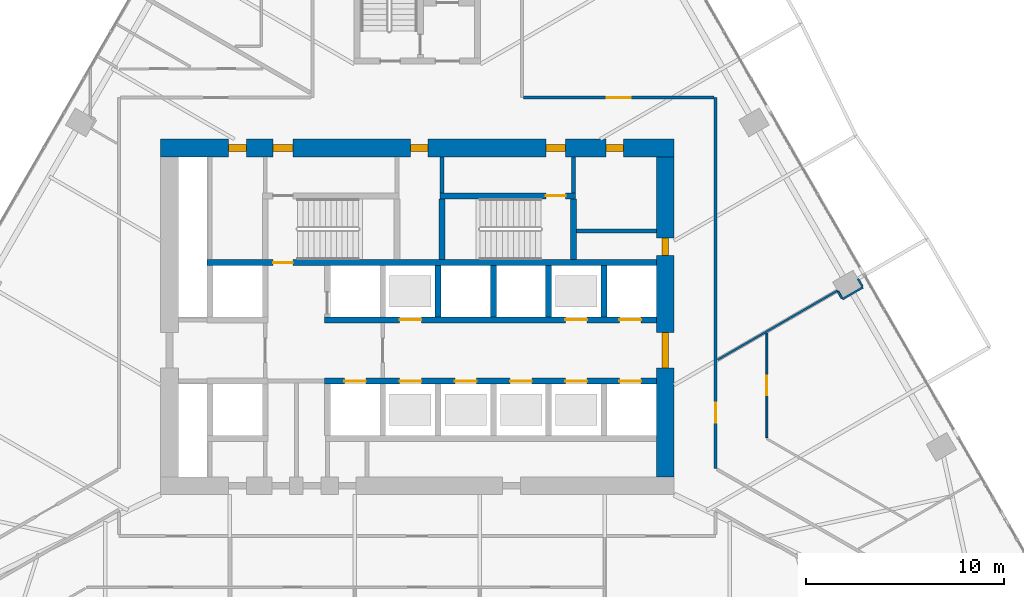
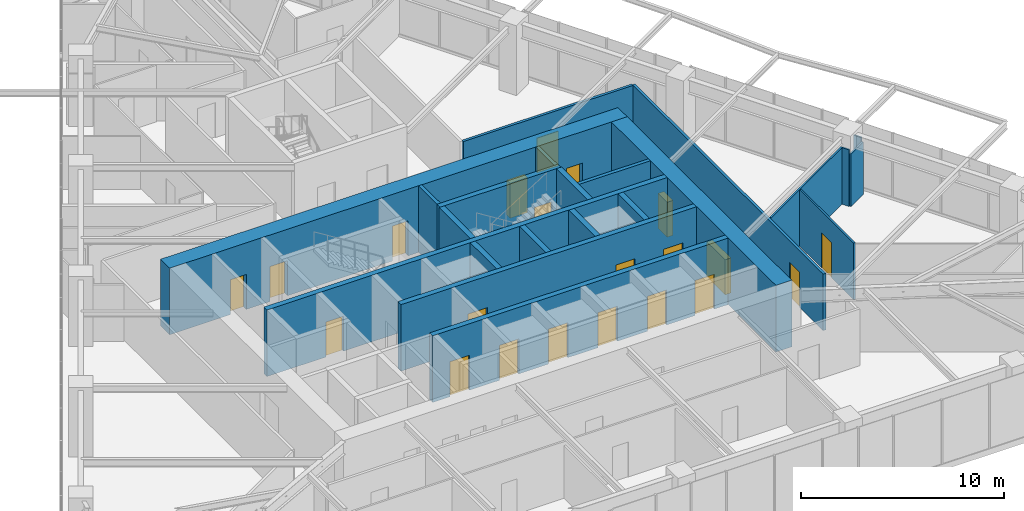
# One storey, part 22 of 26: 22 walls, 21 doors, 21 openings.
"""IFC4 building model written with IfcOpenShell, lengths in metres."""

import ifcopenshell
import ifcopenshell.guid

model = None  # the IFC model being written
_history = None  # IfcOwnerHistory: only IFC2X3 demands one
_inside = {}  # id of a spatial element -> (the spatial element, [elements in it])
_under = {}  # id of a project, library or spatial element -> (it, [spatial elements below it])
_declared = {}  # id of a project -> (the project, [libraries it declares])
_typed = {}  # id of a type object -> (the type object, [elements of that type])
_made_of = {}  # id of a material, layer set ... -> (it, [elements and type objects made of it])


def new_model(schema):
    """Start an empty IFC model of exactly this schema.

    Asked for "IFC4X3", IfcOpenShell would pick the latest addendum, in which some entities
    have other attributes; the version numbers below select the first issue.
    IFC2X3 requires an IfcOwnerHistory on every rooted entity: one is made here for all.
    """
    global model, _history
    if schema == "IFC4X3":
        model = ifcopenshell.file(schema_version=(4, 3, 0, 0))
    else:
        model = ifcopenshell.file(schema=schema)
    _inside.clear()
    _under.clear()
    _declared.clear()
    _typed.clear()
    _made_of.clear()
    _history = None
    if model.schema == "IFC2X3":
        org = make("IfcOrganization", Name="unknown")
        user = make(
            "IfcPersonAndOrganization",
            ThePerson=make("IfcPerson", FamilyName="unknown"),
            TheOrganization=org,
        )
        app = make(
            "IfcApplication",
            ApplicationDeveloper=org,
            Version="unknown",
            ApplicationFullName="unknown",
            ApplicationIdentifier="unknown",
        )
        _history = make(
            "IfcOwnerHistory",
            OwningUser=user,
            OwningApplication=app,
            ChangeAction="ADDED",
            CreationDate=0,
        )
    return model


def make(cls, **values):
    """One entity of the class cls with the attributes given. An attribute that is None is left unset."""
    return model.create_entity(
        cls, **{name: value for name, value in values.items() if value is not None}
    )


def rooted(cls, **values):
    """An entity with a GlobalId (a new one), such as an element, a storey or a relation."""
    return make(cls, GlobalId=ifcopenshell.guid.new(), OwnerHistory=_history, **values)


def si_unit(unit_type, name, prefix=None):
    """IfcSIUnit, for example si_unit("LENGTHUNIT", "METRE", prefix="MILLI")."""
    return make("IfcSIUnit", UnitType=unit_type, Prefix=prefix, Name=name)


def assignment(units):
    """IfcUnitAssignment: the units of a project."""
    return None if units is None else make("IfcUnitAssignment", Units=units)


def point(xyz):
    """IfcCartesianPoint."""
    return None if xyz is None else make("IfcCartesianPoint", Coordinates=xyz)


def direction(xyz):
    """IfcDirection."""
    return None if xyz is None else make("IfcDirection", DirectionRatios=xyz)


def frame(location, z_axis=None, x_axis=None):
    """IfcAxis2Placement3D, a coordinate frame: its origin and axes. An axis left out is left unset."""
    return make(
        "IfcAxis2Placement3D",
        Location=point(location),
        Axis=direction(z_axis),
        RefDirection=direction(x_axis),
    )


def frame_2d(location, x_axis=None):
    """IfcAxis2Placement2D, a coordinate frame in the plane: its origin and x axis."""
    return make(
        "IfcAxis2Placement2D", Location=point(location), RefDirection=direction(x_axis)
    )


def origin():
    """The frame at (0, 0, 0) with its axes left unset."""
    return frame((0.0, 0.0, 0.0))


def place(relative_to, where):
    """IfcLocalPlacement: puts the frame where relative to a parent placement (None: the world)."""
    return make(
        "IfcLocalPlacement", PlacementRelTo=relative_to, RelativePlacement=where
    )


def context(
    kind, dimensions, precision=None, world=None, true_north=None, identifier=None
):
    """IfcGeometricRepresentationContext, for example the 3D "Model" context."""
    return make(
        "IfcGeometricRepresentationContext",
        ContextIdentifier=identifier,
        ContextType=kind,
        CoordinateSpaceDimension=dimensions,
        Precision=precision,
        WorldCoordinateSystem=world,
        TrueNorth=true_north,
    )


def subcontext(parent, identifier, kind, view, scale=None):
    """IfcGeometricRepresentationSubContext, for example "Body" below "Model"."""
    return make(
        "IfcGeometricRepresentationSubContext",
        ContextIdentifier=identifier,
        ContextType=kind,
        ParentContext=parent,
        TargetScale=scale,
        TargetView=view,
    )


def project(units=None, contexts=None):
    """IfcProject with its units and contexts."""
    return rooted(
        "IfcProject",
        Name="project",
        RepresentationContexts=contexts,
        UnitsInContext=assignment(units),
    )


def spatial(cls, under=None, at=None, **own):
    """A site, building, storey or space (cls), placed at a placement, below another one or the project."""
    s = rooted(cls, ObjectPlacement=at, **own)
    if under is not None:
        _under.setdefault(under.id(), (under, []))[1].append(s)
    return s


def profile(cls, at=None, kind="AREA", **sizes):
    """A parametric profile (cls). Its sizes go by their IFC names, for example OverallWidth=200.0."""
    return make(cls, ProfileType=kind, Position=at, **sizes)


def rectangle(**sizes):
    """IfcRectangleProfileDef."""
    return profile("IfcRectangleProfileDef", **sizes)


def extrude(swept, where, along, depth):
    """IfcExtrudedAreaSolid: the profile swept, set in the frame where, extruded along a direction by depth."""
    return make(
        "IfcExtrudedAreaSolid",
        SweptArea=swept,
        Position=where,
        ExtrudedDirection=direction(along),
        Depth=depth,
    )


def shape(context_of_items, identifier, shape_type, items):
    """IfcShapeRepresentation: the items that make up one representation, for example the "Body"."""
    return make(
        "IfcShapeRepresentation",
        ContextOfItems=context_of_items,
        RepresentationIdentifier=identifier,
        RepresentationType=shape_type,
        Items=items,
    )


def material(Name=None, Category=None):
    """IfcMaterial."""
    return make("IfcMaterial", Name=Name, Category=Category)


def layer(
    of_material, thickness, ventilated=None, Name=None, Category=None, Priority=None
):
    """IfcMaterialLayer: one layer of a wall or slab, of a material (None: an air gap)."""
    return make(
        "IfcMaterialLayer",
        Material=of_material,
        LayerThickness=thickness,
        IsVentilated=ventilated,
        Name=Name,
        Category=Category,
        Priority=Priority,
    )


def layer_set(layers, Name=None):
    """IfcMaterialLayerSet."""
    return make("IfcMaterialLayerSet", MaterialLayers=layers, LayerSetName=Name)


def made_of(thing, what):
    """Note that an element or type object is made of a material, layer set ...; save() writes the relation."""
    if what is not None:
        _made_of.setdefault(what.id(), (what, []))[1].append(thing)
    return thing


def type_object(cls, material=None, **own):
    """A type object (cls), such as IfcWallType, which elements share."""
    return made_of(rooted(cls, **own), material)


def element(
    cls,
    number,
    at=None,
    inside=None,
    cuts=None,
    type_object=None,
    material=None,
    context=None,
    identifier="Body",
    shape_type=None,
    held_by="IfcProductDefinitionShape",
    body=None,
    shapes=None,
    **own,
):
    """One element of the class cls, such as IfcWall. Its Tag is "e" and its number.

    at: its placement. inside: the storey or other place that contains it. cuts: it is an
    opening in that element (IfcRelVoidsElement). A single representation is given by context,
    identifier, shape_type and body (its items); several are given by shapes. held_by: the class
    of the entity that holds the representations. save() writes the other relations.
    """
    e = rooted(cls, Tag="e%d" % number, ObjectPlacement=at, **own)
    if body is not None:
        shapes = [shape(context, identifier, shape_type, body)]
    if shapes is not None:
        e.Representation = make(held_by, Representations=shapes)
    if inside is not None:
        _inside.setdefault(inside.id(), (inside, []))[1].append(e)
    if cuts is not None:
        rooted(
            "IfcRelVoidsElement", RelatingBuildingElement=cuts, RelatedOpeningElement=e
        )
    if type_object is not None:
        _typed.setdefault(type_object.id(), (type_object, []))[1].append(e)
    return made_of(e, material)


def fill(opening, filler):
    """IfcRelFillsElement: the door or window that sits in an opening."""
    return rooted(
        "IfcRelFillsElement",
        RelatingOpeningElement=opening,
        RelatedBuildingElement=filler,
    )


def aggregate(whole, parts):
    """IfcRelAggregates: a whole, such as a stair, and the parts it consists of."""
    return rooted("IfcRelAggregates", RelatingObject=whole, RelatedObjects=parts)


def save(model, path):
    """Write the relations noted so far, then the file.

    IfcRelAggregates (storeys below a building ...), IfcRelContainedInSpatialStructure (elements
    in a storey), IfcRelDefinesByType, IfcRelAssociatesMaterial and IfcRelDeclares: one each for
    every whole, place, type object, material and project.
    """
    for whole, parts in _under.values():
        aggregate(whole, parts)
    for where, things in _inside.values():
        rooted(
            "IfcRelContainedInSpatialStructure",
            RelatedElements=things,
            RelatingStructure=where,
        )
    for kind, things in _typed.values():
        rooted("IfcRelDefinesByType", RelatedObjects=things, RelatingType=kind)
    for what, things in _made_of.values():
        rooted("IfcRelAssociatesMaterial", RelatedObjects=things, RelatingMaterial=what)
    for by, libraries in _declared.values():
        rooted("IfcRelDeclares", RelatingContext=by, RelatedDefinitions=libraries)
    model.write(path)


model = new_model("IFC4")

# Units and contexts
model_context = context("Model", 3, precision=1e-05, world=origin(), true_north=direction((0.0, 1.0)))
body_context = subcontext(model_context, "Body", "Model", "MODEL_VIEW")
ifc_project = project(units=[si_unit("LENGTHUNIT", "METRE"), si_unit("AREAUNIT", "SQUARE_METRE"), si_unit("VOLUMEUNIT", "CUBIC_METRE"), si_unit("PLANEANGLEUNIT", "RADIAN"), si_unit("MASSUNIT", "GRAM", prefix="KILO")], contexts=[model_context])

# Site, building, storey
site_placement = place(None, origin())
site = spatial("IfcSite", under=ifc_project, at=site_placement, CompositionType="ELEMENT")
building_placement = place(site_placement, origin())
building = spatial("IfcBuilding", under=site, at=building_placement, Name="Firuza Gate Tower and Library", CompositionType="ELEMENT")
storey_placement = place(building_placement, frame((0.0, 0.0, 77.800048828125)))
storey = spatial("IfcBuildingStorey", under=building, at=storey_placement, Name="L17", CompositionType="ELEMENT", Elevation=77.800048828125)

# Walls
ifc_material_1 = material(Name="Plasterboard on steel studs", Category="steel")
ifc_layer_1 = layer(ifc_material_1, 0.199951171875)
ifc_layer_set_1 = layer_set([ifc_layer_1], Name="Core partition 200 EI 120")
wall_type_1 = type_object("IfcWallType", Name="Core partition 200 EI 120", PredefinedType="PARTITIONING", material=ifc_layer_set_1)
wall_1_placement = place(storey_placement, frame((83.050048828125, 79.35498046875, 0.0), z_axis=(0.0, 0.0, 1.0), x_axis=(1.0, 0.0, 0.0)))
element("IfcWall", 1, at=wall_1_placement, inside=storey, type_object=wall_type_1, Name="Core partition L17 4", PredefinedType="PARTITIONING", context=body_context, shape_type="SweptSolid", body=[
    extrude(rectangle(XDim=4.050048828125, YDim=0.199951171875, at=frame_2d((2.02490234375, 0.0))), origin(), (0.0, 0.0, 1.0), 4.0),
])
wall_2_placement = place(storey_placement, frame((82.89990234375, 81.280029296875, 0.0), z_axis=(0.0, 0.0, 1.0), x_axis=(0.0, 1.0, 0.0)))
element("IfcWall", 2, at=wall_2_placement, inside=storey, type_object=wall_type_1, Name="Core partition L17 16", PredefinedType="PARTITIONING", context=body_context, shape_type="SweptSolid", body=[
    extrude(rectangle(XDim=1.820068359375, YDim=0.199951171875, at=frame_2d((0.91015625, 0.0))), origin(), (0.0, 0.0, 1.0), 4.0),
])
ifc_material_2 = material(Name="Plasterboard on steel studs", Category="steel")
ifc_layer_2 = layer(ifc_material_2, 0.199951171875)
ifc_layer_set_2 = layer_set([ifc_layer_2], Name="Core partition 200 EI 60")
wall_type_2 = type_object("IfcWallType", Name="Core partition 200 EI 60", PredefinedType="PARTITIONING", material=ifc_layer_set_2)
wall_3_placement = place(storey_placement, frame((76.239990234375, 81.280029296875, 0.0), z_axis=(0.0, 0.0, 1.0), x_axis=(0.0, 1.0, 0.0)))
element("IfcWall", 3, at=wall_3_placement, inside=storey, type_object=wall_type_2, Name="Core partition L17 15", PredefinedType="PARTITIONING", context=body_context, shape_type="SweptSolid", body=[
    extrude(rectangle(XDim=1.820068359375, YDim=0.199951171875, at=frame_2d((0.91015625, 0.0))), origin(), (0.0, 0.0, 1.0), 4.0),
])

# Wall, openings, doors
ifc_material_3 = material(Name="Concrete C80/95", Category="concrete")
ifc_layer_3 = layer(ifc_material_3, 0.300048828125)
ifc_layer_set_3 = layer_set([ifc_layer_3], Name="Core wall 300 C80/95")
wall_type_3 = type_object("IfcWallType", Name="Core wall 300 C80/95", PredefinedType="SHEAR", material=ifc_layer_set_3)
wall_4_placement = place(storey_placement, frame((70.300048828125, 71.75, 0.0), z_axis=(0.0, 0.0, 1.0), x_axis=(1.0, 0.0, 0.0)))
wall_4 = element("IfcWall", 4, at=wall_4_placement, inside=storey, type_object=wall_type_3, Name="Core wall L17 8", PredefinedType="SHEAR", context=body_context, shape_type="SweptSolid", body=[
    extrude(rectangle(XDim=16.800048828125, YDim=0.300048828125, at=frame_2d((8.39990234375, 0.0))), origin(), (0.0, 0.0, 1.0), 4.0),
])
opening_1_placement = place(wall_4_placement, frame((1.0, 0.0, 0.0)))
opening_1 = element("IfcOpeningElement", 5, at=opening_1_placement, cuts=wall_4, Name="Opening LD-FF1-L17", PredefinedType="OPENING", context=body_context, shape_type="SweptSolid", body=[
    extrude(rectangle(XDim=1.10009765625, YDim=2.10009765625, at=frame_2d((0.550048828125, 1.050048828125))), frame((0.0, 0.16015625, 0.0), z_axis=(0.0, -1.0, 0.0), x_axis=(1.0, 0.0, 0.0)), (0.0, 0.0, 1.0), 0.320068359375),
])
opening_2_placement = place(wall_4_placement, frame((3.800048828125, 0.0, 0.0)))
opening_2 = element("IfcOpeningElement", 6, at=opening_2_placement, cuts=wall_4, Name="Opening LD-LR1-L17", PredefinedType="OPENING", context=body_context, shape_type="SweptSolid", body=[
    extrude(rectangle(XDim=1.10009765625, YDim=2.10009765625, at=frame_2d((0.550048828125, 1.050048828125))), frame((0.0, 0.16015625, 0.0), z_axis=(0.0, -1.0, 0.0), x_axis=(1.0, 0.0, 0.0)), (0.0, 0.0, 1.0), 0.320068359375),
])
opening_3_placement = place(wall_4_placement, frame((6.60009765625, 0.0, 0.0)))
opening_3 = element("IfcOpeningElement", 7, at=opening_3_placement, cuts=wall_4, Name="Opening LD-LR2-L17", PredefinedType="OPENING", context=body_context, shape_type="SweptSolid", body=[
    extrude(rectangle(XDim=1.10009765625, YDim=2.10009765625, at=frame_2d((0.550048828125, 1.050048828125))), frame((0.0, 0.16015625, 0.0), z_axis=(0.0, -1.0, 0.0), x_axis=(1.0, 0.0, 0.0)), (0.0, 0.0, 1.0), 0.320068359375),
])
opening_4_placement = place(wall_4_placement, frame((9.39990234375, 0.0, 0.0)))
opening_4 = element("IfcOpeningElement", 8, at=opening_4_placement, cuts=wall_4, Name="Opening LD-LR3-L17", PredefinedType="OPENING", context=body_context, shape_type="SweptSolid", body=[
    extrude(rectangle(XDim=1.10009765625, YDim=2.10009765625, at=frame_2d((0.550048828125, 1.050048828125))), frame((0.0, 0.16015625, 0.0), z_axis=(0.0, -1.0, 0.0), x_axis=(1.0, 0.0, 0.0)), (0.0, 0.0, 1.0), 0.320068359375),
])
opening_5_placement = place(wall_4_placement, frame((12.199951171875, 0.0, 0.0)))
opening_5 = element("IfcOpeningElement", 9, at=opening_5_placement, cuts=wall_4, Name="Opening LD-LR5-L17", PredefinedType="OPENING", context=body_context, shape_type="SweptSolid", body=[
    extrude(rectangle(XDim=1.10009765625, YDim=2.10009765625, at=frame_2d((0.550048828125, 1.050048828125))), frame((0.0, 0.16015625, 0.0), z_axis=(0.0, -1.0, 0.0), x_axis=(1.0, 0.0, 0.0)), (0.0, 0.0, 1.0), 0.320068359375),
])
opening_6_placement = place(wall_4_placement, frame((14.925048828125, 0.0, 0.0)))
opening_6 = element("IfcOpeningElement", 10, at=opening_6_placement, cuts=wall_4, Name="Opening LD-LR7-L17", PredefinedType="OPENING", context=body_context, shape_type="SweptSolid", body=[
    extrude(rectangle(XDim=1.10009765625, YDim=2.10009765625, at=frame_2d((0.550048828125, 1.050048828125))), frame((0.0, 0.16015625, 0.0), z_axis=(0.0, -1.0, 0.0), x_axis=(1.0, 0.0, 0.0)), (0.0, 0.0, 1.0), 0.320068359375),
])
ifc_material_4 = material(Name="Stainless steel", Category="steel")
door_type_1 = type_object("IfcDoorType", Name="Lift landing door 1100x2100", OperationType="DOUBLE_DOOR_SLIDING", PredefinedType="DOOR", material=ifc_material_4)
door_1_placement = place(opening_1_placement, origin())
door_1 = element("IfcDoor", 11, at=door_1_placement, inside=storey, type_object=door_type_1, Name="Landing door FF1 L17", OperationType="DOUBLE_DOOR_SLIDING", OverallHeight=2.10009765625, OverallWidth=1.10009765625, PredefinedType="DOOR", context=body_context, shape_type="SweptSolid", body=[
    extrude(rectangle(XDim=1.10009765625, YDim=2.10009765625, at=frame_2d((0.550048828125, 1.050048828125))), frame((0.0, 0.02490234375, 0.0), z_axis=(0.0, -1.0, 0.0), x_axis=(1.0, 0.0, 0.0)), (0.0, 0.0, 1.0), 0.050048828125),
])
fill(opening_1, door_1)
door_2_placement = place(opening_2_placement, origin())
door_2 = element("IfcDoor", 12, at=door_2_placement, inside=storey, type_object=door_type_1, Name="Landing door LR1 L17", OperationType="DOUBLE_DOOR_SLIDING", OverallHeight=2.10009765625, OverallWidth=1.10009765625, PredefinedType="DOOR", context=body_context, shape_type="SweptSolid", body=[
    extrude(rectangle(XDim=1.10009765625, YDim=2.10009765625, at=frame_2d((0.550048828125, 1.050048828125))), frame((0.0, 0.02490234375, 0.0), z_axis=(0.0, -1.0, 0.0), x_axis=(1.0, 0.0, 0.0)), (0.0, 0.0, 1.0), 0.050048828125),
])
fill(opening_2, door_2)
door_3_placement = place(opening_3_placement, origin())
door_3 = element("IfcDoor", 13, at=door_3_placement, inside=storey, type_object=door_type_1, Name="Landing door LR2 L17", OperationType="DOUBLE_DOOR_SLIDING", OverallHeight=2.10009765625, OverallWidth=1.10009765625, PredefinedType="DOOR", context=body_context, shape_type="SweptSolid", body=[
    extrude(rectangle(XDim=1.10009765625, YDim=2.10009765625, at=frame_2d((0.550048828125, 1.050048828125))), frame((0.0, 0.02490234375, 0.0), z_axis=(0.0, -1.0, 0.0), x_axis=(1.0, 0.0, 0.0)), (0.0, 0.0, 1.0), 0.050048828125),
])
fill(opening_3, door_3)
door_4_placement = place(opening_4_placement, origin())
door_4 = element("IfcDoor", 14, at=door_4_placement, inside=storey, type_object=door_type_1, Name="Landing door LR3 L17", OperationType="DOUBLE_DOOR_SLIDING", OverallHeight=2.10009765625, OverallWidth=1.10009765625, PredefinedType="DOOR", context=body_context, shape_type="SweptSolid", body=[
    extrude(rectangle(XDim=1.10009765625, YDim=2.10009765625, at=frame_2d((0.550048828125, 1.050048828125))), frame((0.0, 0.02490234375, 0.0), z_axis=(0.0, -1.0, 0.0), x_axis=(1.0, 0.0, 0.0)), (0.0, 0.0, 1.0), 0.050048828125),
])
fill(opening_4, door_4)
door_5_placement = place(opening_5_placement, origin())
door_5 = element("IfcDoor", 15, at=door_5_placement, inside=storey, type_object=door_type_1, Name="Landing door LR5 L17", OperationType="DOUBLE_DOOR_SLIDING", OverallHeight=2.10009765625, OverallWidth=1.10009765625, PredefinedType="DOOR", context=body_context, shape_type="SweptSolid", body=[
    extrude(rectangle(XDim=1.10009765625, YDim=2.10009765625, at=frame_2d((0.550048828125, 1.050048828125))), frame((0.0, 0.02490234375, 0.0), z_axis=(0.0, -1.0, 0.0), x_axis=(1.0, 0.0, 0.0)), (0.0, 0.0, 1.0), 0.050048828125),
])
fill(opening_5, door_5)
door_6_placement = place(opening_6_placement, origin())
door_6 = element("IfcDoor", 16, at=door_6_placement, inside=storey, type_object=door_type_1, Name="Landing door LR7 L17", OperationType="DOUBLE_DOOR_SLIDING", OverallHeight=2.10009765625, OverallWidth=1.10009765625, PredefinedType="DOOR", context=body_context, shape_type="SweptSolid", body=[
    extrude(rectangle(XDim=1.10009765625, YDim=2.10009765625, at=frame_2d((0.550048828125, 1.050048828125))), frame((0.0, 0.02490234375, 0.0), z_axis=(0.0, -1.0, 0.0), x_axis=(1.0, 0.0, 0.0)), (0.0, 0.0, 1.0), 0.050048828125),
])
fill(opening_6, door_6)

wall_5_placement = place(storey_placement, frame((70.300048828125, 74.85009765625, 0.0), z_axis=(0.0, 0.0, 1.0), x_axis=(1.0, 0.0, 0.0)))
wall_5 = element("IfcWall", 17, at=wall_5_placement, inside=storey, type_object=wall_type_3, Name="Core wall L17 10", PredefinedType="SHEAR", context=body_context, shape_type="SweptSolid", body=[
    extrude(rectangle(XDim=16.800048828125, YDim=0.300048828125, at=frame_2d((8.39990234375, 0.0))), origin(), (0.0, 0.0, 1.0), 4.0),
])
opening_7_placement = place(wall_5_placement, frame((3.800048828125, 0.0, 0.0)))
opening_7 = element("IfcOpeningElement", 18, at=opening_7_placement, cuts=wall_5, Name="Opening LD-LR4-L17", PredefinedType="OPENING", context=body_context, shape_type="SweptSolid", body=[
    extrude(rectangle(XDim=1.10009765625, YDim=2.10009765625, at=frame_2d((0.550048828125, 1.050048828125))), frame((0.0, 0.16015625, 0.0), z_axis=(0.0, -1.0, 0.0), x_axis=(1.0, 0.0, 0.0)), (0.0, 0.0, 1.0), 0.320068359375),
])
opening_8_placement = place(wall_5_placement, frame((12.199951171875, 0.0, 0.0)))
opening_8 = element("IfcOpeningElement", 19, at=opening_8_placement, cuts=wall_5, Name="Opening LD-LR6-L17", PredefinedType="OPENING", context=body_context, shape_type="SweptSolid", body=[
    extrude(rectangle(XDim=1.10009765625, YDim=2.10009765625, at=frame_2d((0.550048828125, 1.050048828125))), frame((0.0, 0.16015625, 0.0), z_axis=(0.0, -1.0, 0.0), x_axis=(1.0, 0.0, 0.0)), (0.0, 0.0, 1.0), 0.320068359375),
])
opening_9_placement = place(wall_5_placement, frame((14.925048828125, 0.0, 0.0)))
opening_9 = element("IfcOpeningElement", 20, at=opening_9_placement, cuts=wall_5, Name="Opening LD-LR8-L17", PredefinedType="OPENING", context=body_context, shape_type="SweptSolid", body=[
    extrude(rectangle(XDim=1.10009765625, YDim=2.10009765625, at=frame_2d((0.550048828125, 1.050048828125))), frame((0.0, 0.16015625, 0.0), z_axis=(0.0, -1.0, 0.0), x_axis=(1.0, 0.0, 0.0)), (0.0, 0.0, 1.0), 0.320068359375),
])
door_7_placement = place(opening_7_placement, origin())
door_7 = element("IfcDoor", 21, at=door_7_placement, inside=storey, type_object=door_type_1, Name="Landing door LR4 L17", OperationType="DOUBLE_DOOR_SLIDING", OverallHeight=2.10009765625, OverallWidth=1.10009765625, PredefinedType="DOOR", context=body_context, shape_type="SweptSolid", body=[
    extrude(rectangle(XDim=1.10009765625, YDim=2.10009765625, at=frame_2d((0.550048828125, 1.050048828125))), frame((0.0, 0.02490234375, 0.0), z_axis=(0.0, -1.0, 0.0), x_axis=(1.0, 0.0, 0.0)), (0.0, 0.0, 1.0), 0.050048828125),
])
fill(opening_7, door_7)
door_8_placement = place(opening_8_placement, origin())
door_8 = element("IfcDoor", 22, at=door_8_placement, inside=storey, type_object=door_type_1, Name="Landing door LR6 L17", OperationType="DOUBLE_DOOR_SLIDING", OverallHeight=2.10009765625, OverallWidth=1.10009765625, PredefinedType="DOOR", context=body_context, shape_type="SweptSolid", body=[
    extrude(rectangle(XDim=1.10009765625, YDim=2.10009765625, at=frame_2d((0.550048828125, 1.050048828125))), frame((0.0, 0.02490234375, 0.0), z_axis=(0.0, -1.0, 0.0), x_axis=(1.0, 0.0, 0.0)), (0.0, 0.0, 1.0), 0.050048828125),
])
fill(opening_8, door_8)
door_9_placement = place(opening_9_placement, origin())
door_9 = element("IfcDoor", 23, at=door_9_placement, inside=storey, type_object=door_type_1, Name="Landing door LR8 L17", OperationType="DOUBLE_DOOR_SLIDING", OverallHeight=2.10009765625, OverallWidth=1.10009765625, PredefinedType="DOOR", context=body_context, shape_type="SweptSolid", body=[
    extrude(rectangle(XDim=1.10009765625, YDim=2.10009765625, at=frame_2d((0.550048828125, 1.050048828125))), frame((0.0, 0.02490234375, 0.0), z_axis=(0.0, -1.0, 0.0), x_axis=(1.0, 0.0, 0.0)), (0.0, 0.0, 1.0), 0.050048828125),
])
fill(opening_9, door_9)

# Walls
for number, where, z_axis, x_axis, name in (
    (24, (76.050048828125, 75.0, 0.0), (0.0, 0.0, 1.0), (0.0, 1.0, 0.0), "Core wall L17 20"),
    (25, (78.85009765625, 75.0, 0.0), (0.0, 0.0, 1.0), (0.0, 1.0, 0.0), "Core wall L17 22"),
    (26, (81.64990234375, 75.0, 0.0), (0.0, 0.0, 1.0), (0.0, 1.0, 0.0), "Core wall L17 24"),
    (27, (84.449951171875, 75.0, 0.0), (0.0, 0.0, 1.0), (0.0, 1.0, 0.0), "Core wall L17 26"),
):
    element("IfcWall", number, at=place(storey_placement, frame(where, z_axis=z_axis, x_axis=x_axis)), inside=storey, type_object=wall_type_3, Name=name, PredefinedType="SHEAR", context=body_context, shape_type="SweptSolid", body=[
        extrude(rectangle(XDim=2.60009765625, YDim=0.300048828125, at=frame_2d((1.300048828125, 0.0))), origin(), (0.0, 0.0, 1.0), 4.0),
    ])

# Wall, opening, door
wall_6_placement = place(storey_placement, frame((64.35009765625, 77.75, 0.0), z_axis=(0.0, 0.0, 1.0), x_axis=(1.0, 0.0, 0.0)))
wall_6 = element("IfcWall", 28, at=wall_6_placement, inside=storey, type_object=wall_type_3, Name="Core wall L17 27", PredefinedType="SHEAR", context=body_context, shape_type="SweptSolid", body=[
    extrude(rectangle(XDim=22.75, YDim=0.300048828125, at=frame_2d((11.375, 0.0))), origin(), (0.0, 0.0, 1.0), 4.0),
])
opening_10_placement = place(wall_6_placement, frame((3.344970703125, 0.0, 0.0)))
opening_10 = element("IfcOpeningElement", 29, at=opening_10_placement, cuts=wall_6, Name="Opening L17-K12", PredefinedType="OPENING", context=body_context, shape_type="SweptSolid", body=[
    extrude(rectangle(XDim=1.0, YDim=2.10009765625, at=frame_2d((0.5, 1.050048828125))), frame((0.0, 0.16015625, 0.0), z_axis=(0.0, -1.0, 0.0), x_axis=(1.0, 0.0, 0.0)), (0.0, 0.0, 1.0), 0.320068359375),
])
ifc_material_5 = material(Name="Steel", Category="steel")
door_type_2 = type_object("IfcDoorType", Name="Fire door 1000x2100 FD90", OperationType="NOTDEFINED", PredefinedType="DOOR", material=ifc_material_5)
door_10_placement = place(opening_10_placement, origin())
door_10 = element("IfcDoor", 30, at=door_10_placement, inside=storey, type_object=door_type_2, Name="Door L17-K12", OperationType="SINGLE_SWING_LEFT", OverallHeight=2.10009765625, OverallWidth=1.0, PredefinedType="DOOR", context=body_context, shape_type="SweptSolid", body=[
    extrude(rectangle(XDim=1.0, YDim=2.10009765625, at=frame_2d((0.5, 1.050048828125))), frame((0.0, 0.02490234375, 0.0), z_axis=(0.0, -1.0, 0.0), x_axis=(1.0, 0.0, 0.0)), (0.0, 0.0, 1.0), 0.050048828125),
])
fill(opening_10, door_10)

wall_7_placement = place(storey_placement, frame((76.139892578125, 81.1298828125, 0.0), z_axis=(0.0, 0.0, 1.0), x_axis=(1.0, 0.0, 0.0)))
wall_7 = element("IfcWall", 31, at=wall_7_placement, inside=storey, type_object=wall_type_3, Name="Core wall L17 29", PredefinedType="SHEAR", context=body_context, shape_type="SweptSolid", body=[
    extrude(rectangle(XDim=6.860107421875, YDim=0.300048828125, at=frame_2d((3.43017578125, 0.0))), origin(), (0.0, 0.0, 1.0), 4.0),
])
opening_11_placement = place(wall_7_placement, frame((5.364990234375, 0.0, 0.0)))
opening_11 = element("IfcOpeningElement", 32, at=opening_11_placement, cuts=wall_7, Name="Opening L17-K15", PredefinedType="OPENING", context=body_context, shape_type="SweptSolid", body=[
    extrude(rectangle(XDim=1.0, YDim=2.10009765625, at=frame_2d((0.5, 1.050048828125))), frame((0.0, 0.16015625, 0.0), z_axis=(0.0, -1.0, 0.0), x_axis=(1.0, 0.0, 0.0)), (0.0, 0.0, 1.0), 0.320068359375),
])
door_11_placement = place(opening_11_placement, origin())
door_11 = element("IfcDoor", 33, at=door_11_placement, inside=storey, type_object=door_type_2, Name="Door L17-K15", OperationType="SINGLE_SWING_RIGHT", OverallHeight=2.10009765625, OverallWidth=1.0, PredefinedType="DOOR", context=body_context, shape_type="SweptSolid", body=[
    extrude(rectangle(XDim=1.0, YDim=2.10009765625, at=frame_2d((0.5, 1.050048828125))), frame((0.0, 0.02490234375, 0.0), z_axis=(0.0, -1.0, 0.0), x_axis=(1.0, 0.0, 0.0)), (0.0, 0.0, 1.0), 0.050048828125),
])
fill(opening_11, door_11)

# Walls
for number, where, z_axis, x_axis, name in (
    (34, (76.239990234375, 77.89990234375, 0.0), (0.0, 0.0, 1.0), (0.0, 1.0, 0.0), "Core wall L17 32"),
    (35, (82.89990234375, 77.89990234375, 0.0), (0.0, 0.0, 1.0), (0.0, 1.0, 0.0), "Core wall L17 33"),
):
    element("IfcWall", number, at=place(storey_placement, frame(where, z_axis=z_axis, x_axis=x_axis)), inside=storey, type_object=wall_type_3, Name=name, PredefinedType="SHEAR", context=body_context, shape_type="SweptSolid", body=[
        extrude(rectangle(XDim=3.080078125, YDim=0.300048828125, at=frame_2d((1.5400390625, 0.0))), origin(), (0.0, 0.0, 1.0), 4.0),
    ])

# Wall, openings, doors
ifc_material_6 = material(Name="Concrete C80/95", Category="concrete")
ifc_layer_4 = layer(ifc_material_6, 0.89990234375)
ifc_layer_set_4 = layer_set([ifc_layer_4], Name="Core wall 900 C80/95")
wall_type_4 = type_object("IfcWallType", Name="Core wall 900 C80/95", PredefinedType="SHEAR", material=ifc_layer_set_4)
wall_8_placement = place(storey_placement, frame((62.0, 83.550048828125, 0.0), z_axis=(0.0, 0.0, 1.0), x_axis=(1.0, 0.0, 0.0)))
wall_8 = element("IfcWall", 36, at=wall_8_placement, inside=storey, type_object=wall_type_4, Name="Core wall L17 2", PredefinedType="SHEAR", context=body_context, shape_type="SweptSolid", body=[
    extrude(rectangle(XDim=26.0, YDim=0.89990234375, at=frame_2d((13.0, 0.0))), origin(), (0.0, 0.0, 1.0), 4.0),
])
opening_12_placement = place(wall_8_placement, frame((5.695068359375, 0.0, 0.0)))
opening_12 = element("IfcOpeningElement", 37, at=opening_12_placement, cuts=wall_8, Name="Opening L17-K14", PredefinedType="OPENING", context=body_context, shape_type="SweptSolid", body=[
    extrude(rectangle(XDim=1.0, YDim=2.10009765625, at=frame_2d((0.5, 1.050048828125))), frame((0.0, 0.4599609375, 0.0), z_axis=(0.0, -1.0, 0.0), x_axis=(1.0, 0.0, 0.0)), (0.0, 0.0, 1.0), 0.919921875),
])
opening_13_placement = place(wall_8_placement, frame((19.5048828125, 0.0, 0.0)))
opening_13 = element("IfcOpeningElement", 38, at=opening_13_placement, cuts=wall_8, Name="Opening L17-K16", PredefinedType="OPENING", context=body_context, shape_type="SweptSolid", body=[
    extrude(rectangle(XDim=1.0, YDim=2.10009765625, at=frame_2d((0.5, 1.050048828125))), frame((0.0, 0.4599609375, 0.0), z_axis=(0.0, -1.0, 0.0), x_axis=(1.0, 0.0, 0.0)), (0.0, 0.0, 1.0), 0.919921875),
])
opening_14_placement = place(wall_8_placement, frame((3.449951171875, 0.0, 0.0)))
opening_14 = element("IfcOpeningElement", 39, at=opening_14_placement, cuts=wall_8, Name="Opening L17-K29", PredefinedType="OPENING", context=body_context, shape_type="SweptSolid", body=[
    extrude(rectangle(XDim=0.89990234375, YDim=2.10009765625, at=frame_2d((0.449951171875, 1.050048828125))), frame((0.0, 0.4599609375, 0.0), z_axis=(0.0, -1.0, 0.0), x_axis=(1.0, 0.0, 0.0)), (0.0, 0.0, 1.0), 0.919921875),
])
opening_15_placement = place(wall_8_placement, frame((12.64990234375, 0.0, 0.0)))
opening_15 = element("IfcOpeningElement", 40, at=opening_15_placement, cuts=wall_8, Name="Opening L17-K30", PredefinedType="OPENING", context=body_context, shape_type="SweptSolid", body=[
    extrude(rectangle(XDim=0.89990234375, YDim=2.10009765625, at=frame_2d((0.449951171875, 1.050048828125))), frame((0.0, 0.4599609375, 0.0), z_axis=(0.0, -1.0, 0.0), x_axis=(1.0, 0.0, 0.0)), (0.0, 0.0, 1.0), 0.919921875),
])
opening_16_placement = place(wall_8_placement, frame((22.550048828125, 0.0, 0.0)))
opening_16 = element("IfcOpeningElement", 41, at=opening_16_placement, cuts=wall_8, Name="Opening L17-K32", PredefinedType="OPENING", context=body_context, shape_type="SweptSolid", body=[
    extrude(rectangle(XDim=0.89990234375, YDim=2.10009765625, at=frame_2d((0.449951171875, 1.050048828125))), frame((0.0, 0.4599609375, 0.0), z_axis=(0.0, -1.0, 0.0), x_axis=(1.0, 0.0, 0.0)), (0.0, 0.0, 1.0), 0.919921875),
])
door_12_placement = place(opening_12_placement, origin())
door_12 = element("IfcDoor", 42, at=door_12_placement, inside=storey, type_object=door_type_2, Name="Door L17-K14", OperationType="SINGLE_SWING_LEFT", OverallHeight=2.10009765625, OverallWidth=1.0, PredefinedType="DOOR", context=body_context, shape_type="SweptSolid", body=[
    extrude(rectangle(XDim=1.0, YDim=2.10009765625, at=frame_2d((0.5, 1.050048828125))), frame((0.0, 0.169921875, 0.0), z_axis=(0.0, -1.0, 0.0), x_axis=(1.0, 0.0, 0.0)), (0.0, 0.0, 1.0), 0.33984375),
])
fill(opening_12, door_12)
door_13_placement = place(opening_13_placement, origin())
door_13 = element("IfcDoor", 43, at=door_13_placement, inside=storey, type_object=door_type_2, Name="Door L17-K16", OperationType="SINGLE_SWING_LEFT", OverallHeight=2.10009765625, OverallWidth=1.0, PredefinedType="DOOR", context=body_context, shape_type="SweptSolid", body=[
    extrude(rectangle(XDim=1.0, YDim=2.10009765625, at=frame_2d((0.5, 1.050048828125))), frame((0.0, 0.169921875, 0.0), z_axis=(0.0, -1.0, 0.0), x_axis=(1.0, 0.0, 0.0)), (0.0, 0.0, 1.0), 0.33984375),
])
fill(opening_13, door_13)
ifc_material_7 = material(Name="Steel", Category="steel")
door_type_3 = type_object("IfcDoorType", Name="Fire door 900x2100 FD30S", OperationType="NOTDEFINED", PredefinedType="DOOR", material=ifc_material_7)
door_14_placement = place(opening_14_placement, origin())
door_14 = element("IfcDoor", 44, at=door_14_placement, inside=storey, type_object=door_type_3, Name="Door L17-K29", OperationType="SINGLE_SWING_RIGHT", OverallHeight=2.10009765625, OverallWidth=0.89990234375, PredefinedType="DOOR", context=body_context, shape_type="SweptSolid", body=[
    extrude(rectangle(XDim=0.89990234375, YDim=2.10009765625, at=frame_2d((0.449951171875, 1.050048828125))), frame((0.0, 0.169921875, 0.0), z_axis=(0.0, -1.0, 0.0), x_axis=(1.0, 0.0, 0.0)), (0.0, 0.0, 1.0), 0.33984375),
])
fill(opening_14, door_14)
door_15_placement = place(opening_15_placement, origin())
door_15 = element("IfcDoor", 45, at=door_15_placement, inside=storey, type_object=door_type_3, Name="Door L17-K30", OperationType="SINGLE_SWING_LEFT", OverallHeight=2.10009765625, OverallWidth=0.89990234375, PredefinedType="DOOR", context=body_context, shape_type="SweptSolid", body=[
    extrude(rectangle(XDim=0.89990234375, YDim=2.10009765625, at=frame_2d((0.449951171875, 1.050048828125))), frame((0.0, 0.169921875, 0.0), z_axis=(0.0, -1.0, 0.0), x_axis=(1.0, 0.0, 0.0)), (0.0, 0.0, 1.0), 0.33984375),
])
fill(opening_15, door_15)
door_16_placement = place(opening_16_placement, origin())
door_16 = element("IfcDoor", 46, at=door_16_placement, inside=storey, type_object=door_type_3, Name="Door L17-K32", OperationType="SINGLE_SWING_LEFT", OverallHeight=2.10009765625, OverallWidth=0.89990234375, PredefinedType="DOOR", context=body_context, shape_type="SweptSolid", body=[
    extrude(rectangle(XDim=0.89990234375, YDim=2.10009765625, at=frame_2d((0.449951171875, 1.050048828125))), frame((0.0, 0.169921875, 0.0), z_axis=(0.0, -1.0, 0.0), x_axis=(1.0, 0.0, 0.0)), (0.0, 0.0, 1.0), 0.33984375),
])
fill(opening_16, door_16)

wall_9_placement = place(storey_placement, frame((87.550048828125, 66.89990234375, 0.0), z_axis=(0.0, 0.0, 1.0), x_axis=(0.0, 1.0, 0.0)))
wall_9 = element("IfcWall", 47, at=wall_9_placement, inside=storey, type_object=wall_type_4, Name="Core wall L17 4", PredefinedType="SHEAR", context=body_context, shape_type="SweptSolid", body=[
    extrude(rectangle(XDim=16.2001953125, YDim=0.89990234375, at=frame_2d((8.10009765625, 0.0))), origin(), (0.0, 0.0, 1.0), 4.0),
])
opening_17_placement = place(wall_9_placement, frame((5.5, 0.0, 0.0)))
opening_17 = element("IfcOpeningElement", 48, at=opening_17_placement, cuts=wall_9, Name="Opening L17-K23", PredefinedType="OPENING", context=body_context, shape_type="SweptSolid", body=[
    extrude(rectangle(XDim=1.800048828125, YDim=2.10009765625, at=frame_2d((0.89990234375, 1.050048828125))), frame((0.0, 0.4599609375, 0.0), z_axis=(0.0, -1.0, 0.0), x_axis=(1.0, 0.0, 0.0)), (0.0, 0.0, 1.0), 0.919921875),
])
opening_18_placement = place(wall_9_placement, frame((11.202392578125, 0.0, 0.0)))
opening_18 = element("IfcOpeningElement", 49, at=opening_18_placement, cuts=wall_9, Name="Opening L17-K31", PredefinedType="OPENING", context=body_context, shape_type="SweptSolid", body=[
    extrude(rectangle(XDim=0.89990234375, YDim=2.10009765625, at=frame_2d((0.449951171875, 1.050048828125))), frame((0.0, 0.4599609375, 0.0), z_axis=(0.0, -1.0, 0.0), x_axis=(1.0, 0.0, 0.0)), (0.0, 0.0, 1.0), 0.919921875),
])
ifc_material_8 = material(Name="Steel", Category="steel")
door_type_4 = type_object("IfcDoorType", Name="Fire door 1800x2100 FD30S", OperationType="NOTDEFINED", PredefinedType="DOOR", material=ifc_material_8)
door_17_placement = place(opening_17_placement, origin())
door_17 = element("IfcDoor", 50, at=door_17_placement, inside=storey, type_object=door_type_4, Name="Door L17-K23", OperationType="SINGLE_SWING_RIGHT", OverallHeight=2.10009765625, OverallWidth=1.800048828125, PredefinedType="DOOR", context=body_context, shape_type="SweptSolid", body=[
    extrude(rectangle(XDim=1.800048828125, YDim=2.10009765625, at=frame_2d((0.89990234375, 1.050048828125))), frame((0.0, 0.169921875, 0.0), z_axis=(0.0, -1.0, 0.0), x_axis=(1.0, 0.0, 0.0)), (0.0, 0.0, 1.0), 0.33984375),
])
fill(opening_17, door_17)
door_18_placement = place(opening_18_placement, origin())
door_18 = element("IfcDoor", 51, at=door_18_placement, inside=storey, type_object=door_type_3, Name="Door L17-K31", OperationType="SINGLE_SWING_RIGHT", OverallHeight=2.10009765625, OverallWidth=0.89990234375, PredefinedType="DOOR", context=body_context, shape_type="SweptSolid", body=[
    extrude(rectangle(XDim=0.89990234375, YDim=2.10009765625, at=frame_2d((0.449951171875, 1.050048828125))), frame((0.0, 0.169921875, 0.0), z_axis=(0.0, -1.0, 0.0), x_axis=(1.0, 0.0, 0.0)), (0.0, 0.0, 1.0), 0.33984375),
])
fill(opening_18, door_18)

# Wall, opening, door
ifc_material_9 = material(Name="Gypsum board partition")
ifc_layer_5 = layer(ifc_material_9, 0.14990234375)
ifc_layer_set_5 = layer_set([ifc_layer_5], Name="Corridor wall 150 double board on steel studs")
wall_type_5 = type_object("IfcWallType", Name="Corridor wall 150 double board on steel studs", PredefinedType="PARTITIONING", material=ifc_layer_set_5)
wall_10_placement = place(storey_placement, frame((80.375, 86.10009765625, 0.0), z_axis=(0.0, 0.0, 1.0), x_axis=(1.0, 0.0, 0.0)))
wall_10 = element("IfcWall", 52, at=wall_10_placement, inside=storey, type_object=wall_type_5, Name="f:L17:w005", PredefinedType="PARTITIONING", context=body_context, shape_type="SweptSolid", body=[
    extrude(rectangle(XDim=9.6494140625, YDim=0.14990234375, at=frame_2d((4.82470703125, 0.0))), origin(), (0.0, 0.0, 1.0), 3.39990234375),
])
opening_19_placement = place(wall_10_placement, frame((4.224609375, 0.0, 0.0)))
opening_19 = element("IfcOpeningElement", 53, at=opening_19_placement, cuts=wall_10, Name="Opening L17-09", PredefinedType="OPENING", context=body_context, shape_type="SweptSolid", body=[
    extrude(rectangle(XDim=1.199951171875, YDim=2.10009765625, at=frame_2d((0.60009765625, 1.050048828125))), frame((0.0, 0.0849609375, 0.0), z_axis=(0.0, -1.0, 0.0), x_axis=(1.0, 0.0, 0.0)), (0.0, 0.0, 1.0), 0.169921875),
])
ifc_material_10 = material(Name="Steel door and timber leaf", Category="steel")
door_type_5 = type_object("IfcDoorType", Name="Fire door 1200 x 2100 steel frame, double leaf", OperationType="NOTDEFINED", PredefinedType="DOOR", material=ifc_material_10)
door_19_placement = place(opening_19_placement, origin())
door_19 = element("IfcDoor", 54, at=door_19_placement, inside=storey, type_object=door_type_5, Name="f:L17:d009", OperationType="DOUBLE_DOOR_SINGLE_SWING", OverallHeight=2.10009765625, OverallWidth=1.199951171875, PredefinedType="DOOR", context=body_context, shape_type="SweptSolid", body=[
    extrude(rectangle(XDim=1.199951171875, YDim=2.10009765625, at=frame_2d((0.60009765625, 1.050048828125))), frame((0.0, 0.02490234375, 0.0), z_axis=(0.0, -1.0, 0.0), x_axis=(1.0, 0.0, 0.0)), (0.0, 0.0, 1.0), 0.050048828125),
])
fill(opening_19, door_19)

wall_11_placement = place(storey_placement, frame((90.10009765625, 86.099365234375, 0.0), z_axis=(0.0, 0.0, 1.0), x_axis=(0.0, -1.0, 0.0)))
wall_11 = element("IfcWall", 55, at=wall_11_placement, inside=storey, type_object=wall_type_5, Name="f:L17:w031", PredefinedType="PARTITIONING", context=body_context, shape_type="SweptSolid", body=[
    extrude(rectangle(XDim=18.778076171875, YDim=0.14990234375, at=frame_2d((9.38916015625, 0.0))), origin(), (0.0, 0.0, 1.0), 3.39990234375),
])
opening_20_placement = place(wall_11_placement, frame((15.45458984375, 0.0, 0.0)))
opening_20 = element("IfcOpeningElement", 56, at=opening_20_placement, cuts=wall_11, Name="Opening L17-23", PredefinedType="OPENING", context=body_context, shape_type="SweptSolid", body=[
    extrude(rectangle(XDim=1.0, YDim=2.10009765625, at=frame_2d((0.5, 1.050048828125))), frame((0.0, 0.0849609375, 0.0), z_axis=(0.0, -1.0, 0.0), x_axis=(1.0, 0.0, 0.0)), (0.0, 0.0, 1.0), 0.169921875),
])
ifc_material_11 = material(Name="Steel door and timber leaf", Category="steel")
door_type_6 = type_object("IfcDoorType", Name="Fire door 1000 x 2100 steel frame, timber leaf", OperationType="NOTDEFINED", PredefinedType="DOOR", material=ifc_material_11)
door_20_placement = place(opening_20_placement, origin())
door_20 = element("IfcDoor", 57, at=door_20_placement, inside=storey, type_object=door_type_6, Name="f:L17:d023", OperationType="SINGLE_SWING_RIGHT", OverallHeight=2.10009765625, OverallWidth=1.0, PredefinedType="DOOR", context=body_context, shape_type="SweptSolid", body=[
    extrude(rectangle(XDim=1.0, YDim=2.10009765625, at=frame_2d((0.5, 1.050048828125))), frame((0.0, 0.02490234375, 0.0), z_axis=(0.0, -1.0, 0.0), x_axis=(1.0, 0.0, 0.0)), (0.0, 0.0, 1.0), 0.050048828125),
])
fill(opening_20, door_20)

# Walls
ifc_material_12 = material(Name="Gypsum board partition")
ifc_layer_6 = layer(ifc_material_12, 0.10009765625)
ifc_layer_set_6 = layer_set([ifc_layer_6], Name="Partition 100 gypsum board on steel studs")
wall_type_6 = type_object("IfcWallType", Name="Partition 100 gypsum board on steel studs", PredefinedType="PARTITIONING", material=ifc_layer_set_6)
wall_12_placement = place(storey_placement, frame((96.521728515625, 75.89599609375, 0.0), z_axis=(0.0, 0.0, 1.0), x_axis=(0.865978732077, 0.500080829057, 0.0)))
element("IfcWall", 58, at=wall_12_placement, inside=storey, type_object=wall_type_6, Name="f:L17:w014", PredefinedType="PARTITIONING", context=body_context, shape_type="SweptSolid", body=[
    extrude(rectangle(XDim=1.198974609375, YDim=0.10009765625, at=frame_2d((0.599609375, 0.0))), origin(), (0.0, 0.0, 1.0), 3.1650390625),
])
wall_13_placement = place(storey_placement, frame((90.20068359375, 72.823974609375, 0.0), z_axis=(0.0, 0.0, 1.0), x_axis=(0.866028979627, 0.499993806408, 0.0)))
element("IfcWall", 59, at=wall_13_placement, inside=storey, type_object=wall_type_6, Name="f:L17:w015", PredefinedType="PARTITIONING", context=body_context, shape_type="SweptSolid", body=[
    extrude(rectangle(XDim=7.00927734375, YDim=0.10009765625, at=frame_2d((3.504638671875, 0.0))), origin(), (0.0, 0.0, 1.0), 3.39990234375),
])

# Wall, opening, door
wall_14_placement = place(storey_placement, frame((92.699951171875, 74.1787109375, 0.0), z_axis=(0.0, 0.0, 1.0), x_axis=(0.0, -1.0, 0.0)))
wall_14 = element("IfcWall", 60, at=wall_14_placement, inside=storey, type_object=wall_type_6, Name="f:L17:w029", PredefinedType="PARTITIONING", context=body_context, shape_type="SweptSolid", body=[
    extrude(rectangle(XDim=5.298583984375, YDim=0.10009765625, at=frame_2d((2.6494140625, 0.0))), origin(), (0.0, 0.0, 1.0), 3.39990234375),
])
opening_21_placement = place(wall_14_placement, frame((2.1494140625, 0.0, 0.0)))
opening_21 = element("IfcOpeningElement", 61, at=opening_21_placement, cuts=wall_14, Name="Opening L17-22", PredefinedType="OPENING", context=body_context, shape_type="SweptSolid", body=[
    extrude(rectangle(XDim=1.0, YDim=2.10009765625, at=frame_2d((0.5, 1.050048828125))), frame((0.0, 0.06005859375, 0.0), z_axis=(0.0, -1.0, 0.0), x_axis=(1.0, 0.0, 0.0)), (0.0, 0.0, 1.0), 0.1201171875),
])
ifc_material_13 = material(Name="Timber door", Category="wood")
door_type_7 = type_object("IfcDoorType", Name="Door 1000 x 2100 timber leaf", OperationType="NOTDEFINED", PredefinedType="DOOR", material=ifc_material_13)
door_21_placement = place(opening_21_placement, origin())
door_21 = element("IfcDoor", 62, at=door_21_placement, inside=storey, type_object=door_type_7, Name="f:L17:d022", OperationType="SINGLE_SWING_LEFT", OverallHeight=2.10009765625, OverallWidth=1.0, PredefinedType="DOOR", context=body_context, shape_type="SweptSolid", body=[
    extrude(rectangle(XDim=1.0, YDim=2.10009765625, at=frame_2d((0.5, 1.050048828125))), frame((0.0, 0.02490234375, 0.0), z_axis=(0.0, -1.0, 0.0), x_axis=(1.0, 0.0, 0.0)), (0.0, 0.0, 1.0), 0.050048828125),
])
fill(opening_21, door_21)

# Walls
wall_15_placement = place(storey_placement, frame((97.53564453125, 76.539306640625, 0.0), z_axis=(0.0, 0.0, 1.0), x_axis=(-0.499879237999, 0.866095114533, 0.0)))
element("IfcWall", 63, at=wall_15_placement, inside=storey, type_object=wall_type_6, Name="f:L17:w054", PredefinedType="PARTITIONING", context=body_context, shape_type="SweptSolid", body=[
    extrude(rectangle(XDim=0.44921875, YDim=0.10009765625, at=frame_2d((0.224609375, 0.0))), origin(), (0.0, 0.0, 1.0), 3.39990234375),
])
wall_16_placement = place(storey_placement, frame((96.496337890625, 75.939208984375, 0.0), z_axis=(0.0, 0.0, 1.0), x_axis=(-0.499757756434, 0.866165218006, 0.0)))
element("IfcWall", 64, at=wall_16_placement, inside=storey, type_object=wall_type_6, Name="f:L17:w055", PredefinedType="PARTITIONING", context=body_context, shape_type="SweptSolid", body=[
    extrude(rectangle(XDim=0.399169921875, YDim=0.10009765625, at=frame_2d((0.19970703125, 0.0))), origin(), (0.0, 0.0, 1.0), 3.39990234375),
])

save(model, "model.ifc")
